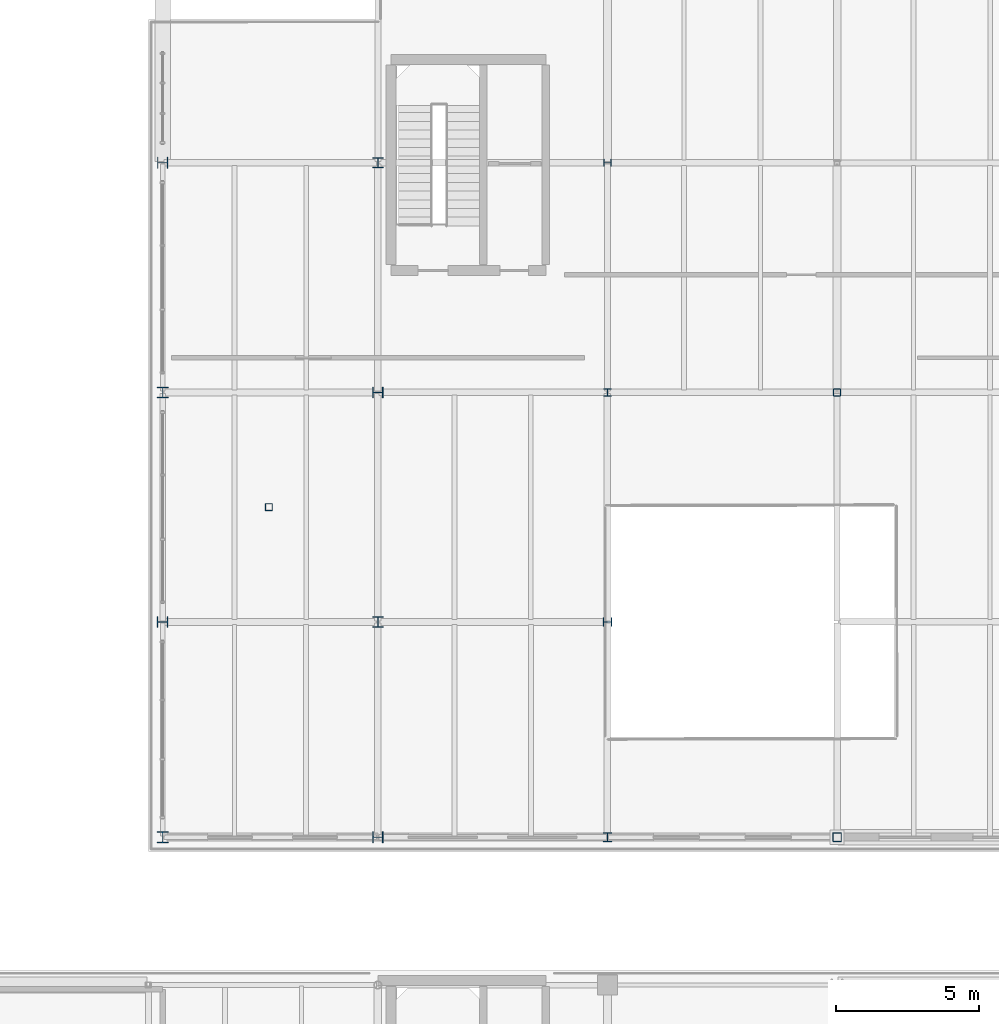
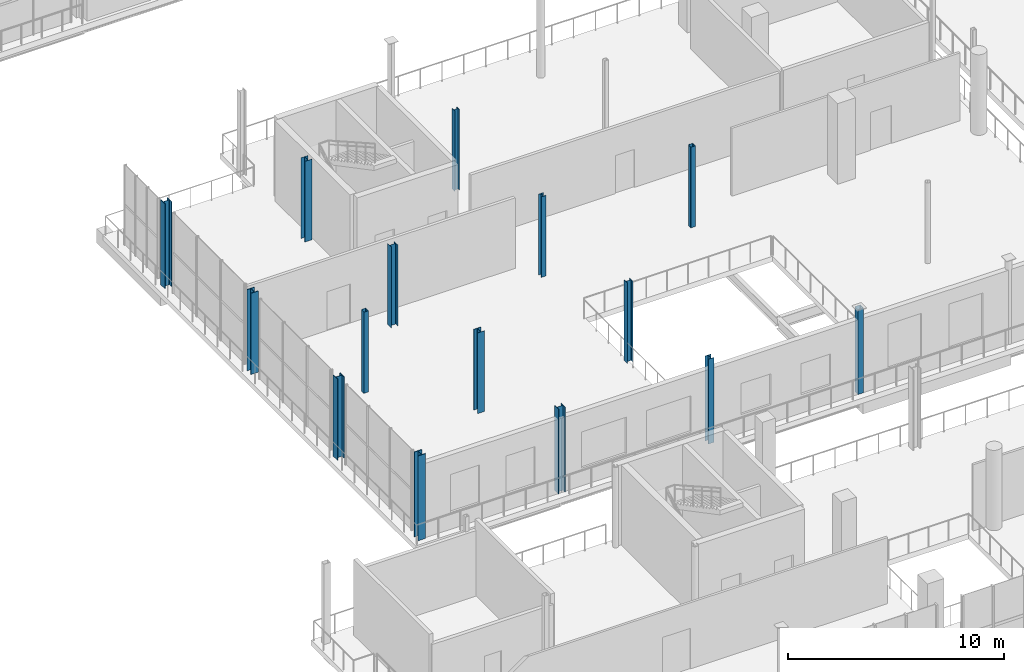
# One storey, part 6 of 93: 15 columns.
"""IFC4 building model written with IfcOpenShell, lengths in metres."""

from ifc_helpers import new_model, si_unit, direction, frame, origin, origin_2d, place, context, subcontext, project, spatial, hollow_rectangle, i_section, extrude, material, material_profile, profile_set, type_object, element, save


model = new_model("IFC4")

# Units and contexts
model_context = context("Model", 3, precision=1e-05, world=origin(), true_north=direction((0.0, 1.0)))
body_context = subcontext(model_context, "Body", "Model", "MODEL_VIEW")
ifc_project = project(units=[si_unit("LENGTHUNIT", "METRE"), si_unit("AREAUNIT", "SQUARE_METRE"), si_unit("VOLUMEUNIT", "CUBIC_METRE"), si_unit("PLANEANGLEUNIT", "RADIAN"), si_unit("MASSUNIT", "GRAM", prefix="KILO")], contexts=[model_context])

# Site, building, storey
site_placement = place(None, origin())
site = spatial("IfcSite", under=ifc_project, at=site_placement, CompositionType="ELEMENT")
building_placement = place(site_placement, origin())
building = spatial("IfcBuilding", under=site, at=building_placement, Name="Brisemont Oceanarium", CompositionType="ELEMENT")
storey_placement = place(building_placement, frame((0.0, 0.0, 5.39990234375)))
storey = spatial("IfcBuildingStorey", under=building, at=storey_placement, Name="L01", CompositionType="ELEMENT", Elevation=5.39990234375)

# Columns
ifc_material_1 = material(Name="Structural Steel ASTM A500 Gr.C", Category="steel")
ifc_material_profile_1 = material_profile(ifc_material_1, hollow_rectangle(XDim=0.25390625, YDim=0.25390625, WallThickness=0.01171875, InnerFilletRadius=0.01220703125, OuterFilletRadius=0.02392578125, at=origin_2d()), Name="HSS10X10X1/2")
ifc_profile_set_1 = profile_set([ifc_material_profile_1], Name="Structural Steel ASTM A500 Gr.C")
column_type_1 = type_object("IfcColumnType", Name="COL-HSS10X10", PredefinedType="COLUMN", material=ifc_profile_set_1)
column_1_placement = place(storey_placement, frame((40.0, 52.0, 0.0), z_axis=(0.0, 0.0, 1.0), x_axis=(0.0, 1.0, 0.0)))
element("IfcColumn", 1, at=column_1_placement, inside=storey, type_object=column_type_1, Name="V5W L01 column (3,2)", PredefinedType="COLUMN", context=body_context, shape_type="SweptSolid", body=[
    extrude(hollow_rectangle(XDim=0.25390625, YDim=0.25390625, WallThickness=0.01171875, InnerFilletRadius=0.01220703125, OuterFilletRadius=0.02392578125, at=origin_2d()), origin(), (0.0, 0.0, 1.0), 4.56005859375),
])
column_2_placement = place(storey_placement, frame((20.199951171875, 48.0, 0.0), z_axis=(0.0, 0.0, 1.0), x_axis=(1.0, 0.0, 0.0)))
element("IfcColumn", 2, at=column_2_placement, inside=storey, type_object=column_type_1, Name="V5W terrace colonnade pier 3", PredefinedType="COLUMN", context=body_context, shape_type="SweptSolid", body=[
    extrude(hollow_rectangle(XDim=0.25390625, YDim=0.25390625, WallThickness=0.01171875, InnerFilletRadius=0.01220703125, OuterFilletRadius=0.02392578125, at=origin_2d()), origin(), (0.0, 0.0, 1.0), 4.590087890625),
])
ifc_material_2 = material(Name="Structural Steel ASTM A500 Gr.C", Category="steel")
ifc_material_profile_2 = material_profile(ifc_material_2, hollow_rectangle(XDim=0.304931640625, YDim=0.304931640625, WallThickness=0.01171875, InnerFilletRadius=0.01220703125, OuterFilletRadius=0.02392578125, at=origin_2d()), Name="HSS12X12X1/2")
ifc_profile_set_2 = profile_set([ifc_material_profile_2], Name="Structural Steel ASTM A500 Gr.C")
column_type_2 = type_object("IfcColumnType", Name="COL-HSS12X12", PredefinedType="COLUMN", material=ifc_profile_set_2)
column_3_placement = place(storey_placement, frame((40.0, 36.5, 0.0), z_axis=(0.0, 0.0, 1.0), x_axis=(0.0, 1.0, 0.0)))
element("IfcColumn", 3, at=column_3_placement, inside=storey, type_object=column_type_2, Name="V5W L01 column (3,0)", PredefinedType="COLUMN", context=body_context, shape_type="SweptSolid", body=[
    extrude(hollow_rectangle(XDim=0.304931640625, YDim=0.304931640625, WallThickness=0.01171875, InnerFilletRadius=0.01220703125, OuterFilletRadius=0.02392578125, at=origin_2d()), origin(), (0.0, 0.0, 1.0), 4.800048828125),
])
ifc_material_3 = material(Name="Structural Steel ASTM A992 Gr.50", Category="steel")
ifc_material_profile_3 = material_profile(ifc_material_3, i_section(OverallWidth=0.25390625, OverallDepth=0.25390625, WebThickness=0.008544921875, FlangeThickness=0.01416015625, FilletRadius=0.010986328125, at=origin_2d()), Name="W10X49")
ifc_profile_set_3 = profile_set([ifc_material_profile_3], Name="Structural Steel ASTM A992 Gr.50")
column_type_3 = type_object("IfcColumnType", Name="COL-W10X49", PredefinedType="COLUMN", material=ifc_profile_set_3)
column_4_placement = place(storey_placement, frame((32.0, 60.0, 0.0), z_axis=(0.0, 0.0, 1.0), x_axis=(0.0, 1.0, 0.0)))
element("IfcColumn", 4, at=column_4_placement, inside=storey, type_object=column_type_3, Name="V5W L01 column (2,3)", PredefinedType="COLUMN", context=body_context, shape_type="SweptSolid", body=[
    extrude(i_section(OverallWidth=0.25390625, OverallDepth=0.25390625, WebThickness=0.008544921875, FlangeThickness=0.01416015625, FilletRadius=0.010986328125, at=origin_2d()), origin(), (0.0, 0.0, 1.0), 4.56005859375),
])
ifc_material_4 = material(Name="Structural Steel ASTM A992 Gr.50", Category="steel")
ifc_material_profile_4 = material_profile(ifc_material_4, i_section(OverallWidth=0.256103515625, OverallDepth=0.260009765625, WebThickness=0.0107421875, FlangeThickness=0.017333984375, FilletRadius=0.010986328125, at=origin_2d()), Name="W10X60")
ifc_profile_set_4 = profile_set([ifc_material_profile_4], Name="Structural Steel ASTM A992 Gr.50")
column_type_4 = type_object("IfcColumnType", Name="COL-W10X60", PredefinedType="COLUMN", material=ifc_profile_set_4)
column_5_placement = place(storey_placement, frame((32.0, 52.0, 0.0), z_axis=(0.0, 0.0, 1.0), x_axis=(1.0, 0.0, 0.0)))
element("IfcColumn", 5, at=column_5_placement, inside=storey, type_object=column_type_4, Name="V5W L01 column (2,2)", PredefinedType="COLUMN", context=body_context, shape_type="SweptSolid", body=[
    extrude(i_section(OverallWidth=0.256103515625, OverallDepth=0.260009765625, WebThickness=0.0107421875, FlangeThickness=0.017333984375, FilletRadius=0.010986328125, at=origin_2d()), origin(), (0.0, 0.0, 1.0), 4.56005859375),
])
ifc_material_5 = material(Name="Structural Steel ASTM A992 Gr.50", Category="steel")
ifc_material_profile_5 = material_profile(ifc_material_5, i_section(OverallWidth=0.304931640625, OverallDepth=0.306884765625, WebThickness=0.010009765625, FlangeThickness=0.015380859375, FilletRadius=0.012939453125, at=origin_2d()), Name="W12X65")
ifc_profile_set_5 = profile_set([ifc_material_profile_5], Name="Structural Steel ASTM A992 Gr.50")
column_type_5 = type_object("IfcColumnType", Name="COL-W12X65", PredefinedType="COLUMN", material=ifc_profile_set_5)
column_6_placement = place(storey_placement, frame((32.0, 44.0, 0.0), z_axis=(0.0, 0.0, 1.0), x_axis=(0.0, 1.0, 0.0)))
element("IfcColumn", 6, at=column_6_placement, inside=storey, type_object=column_type_5, Name="V5W L01 column (2,1)", PredefinedType="COLUMN", context=body_context, shape_type="SweptSolid", body=[
    extrude(i_section(OverallWidth=0.304931640625, OverallDepth=0.306884765625, WebThickness=0.010009765625, FlangeThickness=0.015380859375, FilletRadius=0.012939453125, at=origin_2d()), origin(), (0.0, 0.0, 1.0), 4.56005859375),
])
ifc_material_6 = material(Name="Structural Steel ASTM A992 Gr.50", Category="steel")
ifc_material_profile_6 = material_profile(ifc_material_6, i_section(OverallWidth=0.305908203125, OverallDepth=0.31103515625, WebThickness=0.010986328125, FlangeThickness=0.01708984375, FilletRadius=0.012939453125, at=origin_2d()), Name="W12X72")
ifc_profile_set_6 = profile_set([ifc_material_profile_6], Name="Structural Steel ASTM A992 Gr.50")
column_type_6 = type_object("IfcColumnType", Name="COL-W12X72", PredefinedType="COLUMN", material=ifc_profile_set_6)
column_7_placement = place(storey_placement, frame((32.0, 36.5, 0.0), z_axis=(0.0, 0.0, 1.0), x_axis=(1.0, 0.0, 0.0)))
element("IfcColumn", 7, at=column_7_placement, inside=storey, type_object=column_type_6, Name="V5W L01 column (2,0)", PredefinedType="COLUMN", context=body_context, shape_type="SweptSolid", body=[
    extrude(i_section(OverallWidth=0.305908203125, OverallDepth=0.31103515625, WebThickness=0.010986328125, FlangeThickness=0.01708984375, FilletRadius=0.012939453125, at=origin_2d()), origin(), (0.0, 0.0, 1.0), 4.800048828125),
])
ifc_material_7 = material(Name="Structural Steel ASTM A992 Gr.50", Category="steel")
ifc_material_profile_7 = material_profile(ifc_material_7, i_section(OverallWidth=0.37109375, OverallDepth=0.364013671875, WebThickness=0.01318359375, FlangeThickness=0.021728515625, FilletRadius=0.014892578125, at=origin_2d()), Name="W14X109")
ifc_profile_set_7 = profile_set([ifc_material_profile_7], Name="Structural Steel ASTM A992 Gr.50")
column_type_7 = type_object("IfcColumnType", Name="COL-W14X109", PredefinedType="COLUMN", material=ifc_profile_set_7)
column_8_placement = place(storey_placement, frame((24.0, 44.0, 0.0), z_axis=(0.0, 0.0, 1.0), x_axis=(1.0, 0.0, 0.0)))
element("IfcColumn", 8, at=column_8_placement, inside=storey, type_object=column_type_7, Name="V5W L01 column (1,1)", PredefinedType="COLUMN", context=body_context, shape_type="SweptSolid", body=[
    extrude(i_section(OverallWidth=0.37109375, OverallDepth=0.364013671875, WebThickness=0.01318359375, FlangeThickness=0.021728515625, FilletRadius=0.014892578125, at=origin_2d()), origin(), (0.0, 0.0, 1.0), 4.56005859375),
])
ifc_material_8 = material(Name="Structural Steel ASTM A992 Gr.50", Category="steel")
ifc_material_profile_8 = material_profile(ifc_material_8, i_section(OverallWidth=0.373046875, OverallDepth=0.367919921875, WebThickness=0.014892578125, FlangeThickness=0.02392578125, FilletRadius=0.014892578125, at=origin_2d()), Name="W14X120")
ifc_profile_set_8 = profile_set([ifc_material_profile_8], Name="Structural Steel ASTM A992 Gr.50")
column_type_8 = type_object("IfcColumnType", Name="COL-W14X120", PredefinedType="COLUMN", material=ifc_profile_set_8)
column_9_placement = place(storey_placement, frame((24.0, 36.5, 0.0), z_axis=(0.0, 0.0, 1.0), x_axis=(0.0, 1.0, 0.0)))
element("IfcColumn", 9, at=column_9_placement, inside=storey, type_object=column_type_8, Name="V5W L01 column (1,0)", PredefinedType="COLUMN", context=body_context, shape_type="SweptSolid", body=[
    extrude(i_section(OverallWidth=0.373046875, OverallDepth=0.367919921875, WebThickness=0.014892578125, FlangeThickness=0.02392578125, FilletRadius=0.014892578125, at=origin_2d()), origin(), (0.0, 0.0, 1.0), 4.800048828125),
])
ifc_material_9 = material(Name="Structural Steel ASTM A992 Gr.50", Category="steel")
ifc_material_profile_9 = material_profile(ifc_material_9, i_section(OverallWidth=0.39404296875, OverallDepth=0.3759765625, WebThickness=0.017333984375, FlangeThickness=0.027587890625, FilletRadius=0.014892578125, at=origin_2d()), Name="W14X145")
ifc_profile_set_9 = profile_set([ifc_material_profile_9], Name="Structural Steel ASTM A992 Gr.50")
column_type_9 = type_object("IfcColumnType", Name="COL-W14X145", PredefinedType="COLUMN", material=ifc_profile_set_9)
column_10_placement = place(storey_placement, frame((16.5, 60.0, 0.0), z_axis=(0.0, 0.0, 1.0), x_axis=(0.0, 1.0, 0.0)))
element("IfcColumn", 10, at=column_10_placement, inside=storey, type_object=column_type_9, Name="V5W L01 column (0,3)", PredefinedType="COLUMN", context=body_context, shape_type="SweptSolid", body=[
    extrude(i_section(OverallWidth=0.39404296875, OverallDepth=0.3759765625, WebThickness=0.017333984375, FlangeThickness=0.027587890625, FilletRadius=0.014892578125, at=origin_2d()), origin(), (0.0, 0.0, 1.0), 4.800048828125),
])
ifc_material_10 = material(Name="Structural Steel ASTM A992 Gr.50", Category="steel")
ifc_material_profile_10 = material_profile(ifc_material_10, i_section(OverallWidth=0.39501953125, OverallDepth=0.3798828125, WebThickness=0.018798828125, FlangeThickness=0.0302734375, FilletRadius=0.014892578125, at=origin_2d()), Name="W14X159")
ifc_profile_set_10 = profile_set([ifc_material_profile_10], Name="Structural Steel ASTM A992 Gr.50")
column_type_10 = type_object("IfcColumnType", Name="COL-W14X159", PredefinedType="COLUMN", material=ifc_profile_set_10)
column_11_placement = place(storey_placement, frame((16.5, 52.0, 0.0), z_axis=(0.0, 0.0, 1.0), x_axis=(1.0, 0.0, 0.0)))
element("IfcColumn", 11, at=column_11_placement, inside=storey, type_object=column_type_10, Name="V5W L01 column (0,2)", PredefinedType="COLUMN", context=body_context, shape_type="SweptSolid", body=[
    extrude(i_section(OverallWidth=0.39501953125, OverallDepth=0.3798828125, WebThickness=0.018798828125, FlangeThickness=0.0302734375, FilletRadius=0.014892578125, at=origin_2d()), origin(), (0.0, 0.0, 1.0), 4.590087890625),
])
ifc_material_11 = material(Name="Structural Steel ASTM A992 Gr.50", Category="steel")
ifc_material_profile_11 = material_profile(ifc_material_11, i_section(OverallWidth=0.39892578125, OverallDepth=0.385986328125, WebThickness=0.02099609375, FlangeThickness=0.033203125, FilletRadius=0.014892578125, at=origin_2d()), Name="W14X176")
ifc_profile_set_11 = profile_set([ifc_material_profile_11], Name="Structural Steel ASTM A992 Gr.50")
column_type_11 = type_object("IfcColumnType", Name="COL-W14X176", PredefinedType="COLUMN", material=ifc_profile_set_11)
column_12_placement = place(storey_placement, frame((16.5, 44.0, 0.0), z_axis=(0.0, 0.0, 1.0), x_axis=(0.0, 1.0, 0.0)))
element("IfcColumn", 12, at=column_12_placement, inside=storey, type_object=column_type_11, Name="V5W L01 column (0,1)", PredefinedType="COLUMN", context=body_context, shape_type="SweptSolid", body=[
    extrude(i_section(OverallWidth=0.39892578125, OverallDepth=0.385986328125, WebThickness=0.02099609375, FlangeThickness=0.033203125, FilletRadius=0.014892578125, at=origin_2d()), origin(), (0.0, 0.0, 1.0), 4.590087890625),
])
ifc_material_12 = material(Name="Structural Steel ASTM A992 Gr.50", Category="steel")
ifc_material_profile_12 = material_profile(ifc_material_12, i_section(OverallWidth=0.39990234375, OverallDepth=0.39306640625, WebThickness=0.022705078125, FlangeThickness=0.03662109375, FilletRadius=0.014892578125, at=origin_2d()), Name="W14X193")
ifc_profile_set_12 = profile_set([ifc_material_profile_12], Name="Structural Steel ASTM A992 Gr.50")
column_type_12 = type_object("IfcColumnType", Name="COL-W14X193", PredefinedType="COLUMN", material=ifc_profile_set_12)
column_13_placement = place(storey_placement, frame((16.5, 36.5, 0.0), z_axis=(0.0, 0.0, 1.0), x_axis=(1.0, 0.0, 0.0)))
element("IfcColumn", 13, at=column_13_placement, inside=storey, type_object=column_type_12, Name="V5W L01 column (0,0)", PredefinedType="COLUMN", context=body_context, shape_type="SweptSolid", body=[
    extrude(i_section(OverallWidth=0.39990234375, OverallDepth=0.39306640625, WebThickness=0.022705078125, FlangeThickness=0.03662109375, FilletRadius=0.014892578125, at=origin_2d()), origin(), (0.0, 0.0, 1.0), 4.800048828125),
])
ifc_material_13 = material(Name="Structural Steel ASTM A992 Gr.50", Category="steel")
ifc_material_profile_13 = material_profile(ifc_material_13, i_section(OverallWidth=0.367919921875, OverallDepth=0.35595703125, WebThickness=0.01123046875, FlangeThickness=0.01806640625, FilletRadius=0.014892578125, at=origin_2d()), Name="W14X90")
ifc_profile_set_13 = profile_set([ifc_material_profile_13], Name="Structural Steel ASTM A992 Gr.50")
column_type_13 = type_object("IfcColumnType", Name="COL-W14X90", PredefinedType="COLUMN", material=ifc_profile_set_13)
column_14_placement = place(storey_placement, frame((24.0, 60.0, 0.0), z_axis=(0.0, 0.0, 1.0), x_axis=(1.0, 0.0, 0.0)))
element("IfcColumn", 14, at=column_14_placement, inside=storey, type_object=column_type_13, Name="V5W L01 column (1,3)", PredefinedType="COLUMN", context=body_context, shape_type="SweptSolid", body=[
    extrude(i_section(OverallWidth=0.367919921875, OverallDepth=0.35595703125, WebThickness=0.01123046875, FlangeThickness=0.01806640625, FilletRadius=0.014892578125, at=origin_2d()), origin(), (0.0, 0.0, 1.0), 4.56005859375),
])
ifc_material_14 = material(Name="Structural Steel ASTM A992 Gr.50", Category="steel")
ifc_material_profile_14 = material_profile(ifc_material_14, i_section(OverallWidth=0.37109375, OverallDepth=0.361083984375, WebThickness=0.01220703125, FlangeThickness=0.019775390625, FilletRadius=0.014892578125, at=origin_2d()), Name="W14X99")
ifc_profile_set_14 = profile_set([ifc_material_profile_14], Name="Structural Steel ASTM A992 Gr.50")
column_type_14 = type_object("IfcColumnType", Name="COL-W14X99", PredefinedType="COLUMN", material=ifc_profile_set_14)
column_15_placement = place(storey_placement, frame((24.0, 52.0, 0.0), z_axis=(0.0, 0.0, 1.0), x_axis=(0.0, 1.0, 0.0)))
element("IfcColumn", 15, at=column_15_placement, inside=storey, type_object=column_type_14, Name="V5W L01 column (1,2)", PredefinedType="COLUMN", context=body_context, shape_type="SweptSolid", body=[
    extrude(i_section(OverallWidth=0.37109375, OverallDepth=0.361083984375, WebThickness=0.01220703125, FlangeThickness=0.019775390625, FilletRadius=0.014892578125, at=origin_2d()), origin(), (0.0, 0.0, 1.0), 4.56005859375),
])

save(model, "model.ifc")
